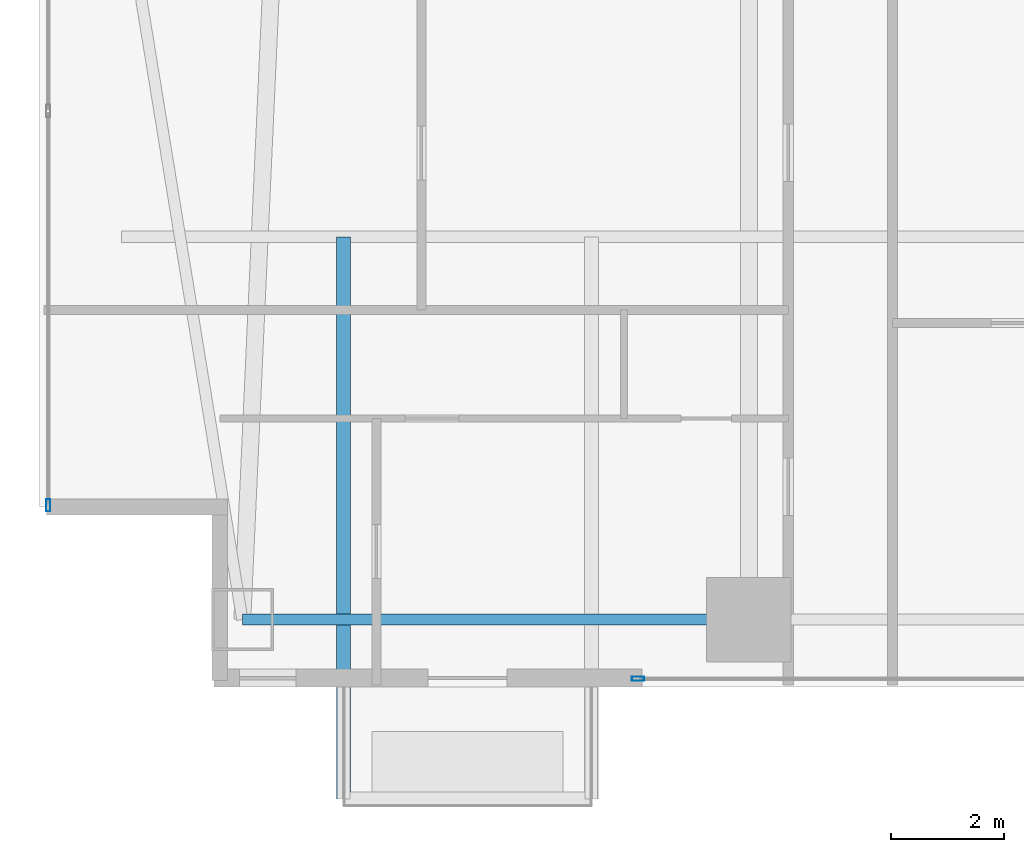
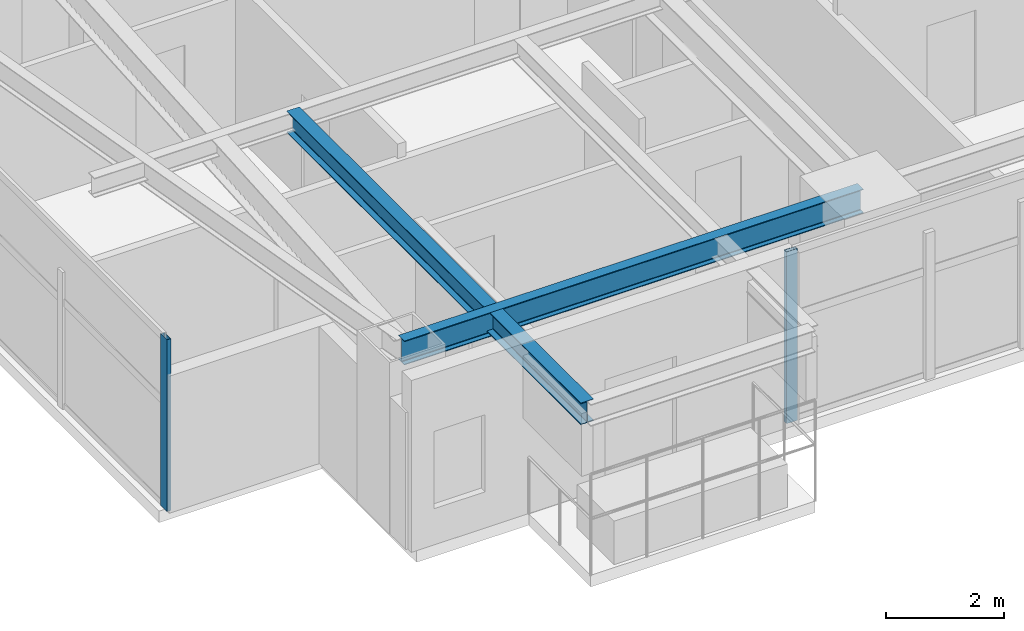
# One storey, part 2 of 30: 2 beams, 2 members, 2 elements without a shape of their own.
"""IFC4 building model written with IfcOpenShell, lengths in metres."""

from ifc_helpers import new_model, si_unit, direction, frame, origin, origin_2d, place, context, subcontext, project, spatial, hollow_rectangle, i_section, extrude, material, layer, layer_set, material_profile, profile_set, type_object, element, aggregate, save


model = new_model("IFC4")

# Units and contexts
model_context = context("Model", 3, precision=1e-05, world=origin(), true_north=direction((0.0, 1.0)))
body_context = subcontext(model_context, "Body", "Model", "MODEL_VIEW")
ifc_project = project(units=[si_unit("LENGTHUNIT", "METRE"), si_unit("AREAUNIT", "SQUARE_METRE"), si_unit("VOLUMEUNIT", "CUBIC_METRE"), si_unit("PLANEANGLEUNIT", "RADIAN"), si_unit("MASSUNIT", "GRAM", prefix="KILO")], contexts=[model_context])

# Site, building, storey
site_placement = place(None, origin())
site = spatial("IfcSite", under=ifc_project, at=site_placement, CompositionType="ELEMENT")
building_placement = place(site_placement, origin())
building = spatial("IfcBuilding", under=site, at=building_placement, Name="Calvorn Quay Hotel", CompositionType="ELEMENT")
storey_placement = place(building_placement, frame((0.0, 0.0, 27.0)))
storey = spatial("IfcBuildingStorey", under=building, at=storey_placement, Name="L05", CompositionType="ELEMENT", Elevation=27.0)

# Beams
ifc_material_1 = material(Name="Steel Q355B", Category="steel")
ifc_material_profile_1 = material_profile(ifc_material_1, i_section(OverallWidth=0.25, OverallDepth=0.449951171875, WebThickness=0.011962890625, FlangeThickness=0.01611328125, FilletRadius=0.01611328125, at=origin_2d()), Name="HN450x250x12x16")
ifc_profile_set_1 = profile_set([ifc_material_profile_1], Name="Steel Q355B")
beam_type_1 = type_object("IfcBeamType", Name="BM-CANT-BALC", PredefinedType="BEAM", material=ifc_profile_set_1)
beam_1_placement = place(storey_placement, frame((5.39990234375, 10.39990234375, 3.31494140625), z_axis=(0.0, -1.0, 0.0), x_axis=(1.0, 0.0, 0.0)))
element("IfcBeam", 1, at=beam_1_placement, inside=storey, type_object=beam_type_1, Name="Cantilever Balcony Beam BCB-L06-2A", PredefinedType="BEAM", context=body_context, shape_type="SweptSolid", body=[
    extrude(i_section(OverallWidth=0.25, OverallDepth=0.449951171875, WebThickness=0.011962890625, FlangeThickness=0.01611328125, FilletRadius=0.01611328125, at=origin_2d()), origin(), (0.0, 0.0, 1.0), 9.989990234375),
])
ifc_material_2 = material(Name="Steel Q355B", Category="steel")
ifc_material_profile_2 = material_profile(ifc_material_2, i_section(OverallWidth=0.199951171875, OverallDepth=0.5, WebThickness=0.010009765625, FlangeThickness=0.01611328125, FilletRadius=0.01611328125, at=origin_2d()), Name="HN500x200x10x16")
ifc_profile_set_2 = profile_set([ifc_material_profile_2], Name="Steel Q355B")
beam_type_2 = type_object("IfcBeamType", Name="BM-SPANDREL-Z1", PredefinedType="SPANDREL", material=ifc_profile_set_2)
beam_2_placement = place(storey_placement, frame((3.60009765625, 3.60009765625, 3.2900390625), z_axis=(1.0, 0.0, 0.0), x_axis=(0.0, 1.0, 0.0)))
element("IfcBeam", 2, at=beam_2_placement, inside=storey, type_object=beam_type_2, Name="Beam BSP-L05-S1", PredefinedType="SPANDREL", context=body_context, shape_type="SweptSolid", body=[
    extrude(i_section(OverallWidth=0.199951171875, OverallDepth=0.5, WebThickness=0.010009765625, FlangeThickness=0.01611328125, FilletRadius=0.01611328125, at=origin_2d()), origin(), (0.0, 0.0, 1.0), 9.0),
])

# Curtain wall, member
ifc_material_3 = material(Name="Pale Anodised Aluminium and Low-E Glass", Category="aluminium")
ifc_layer = layer(ifc_material_3, 0.219970703125)
ifc_layer_set = layer_set([ifc_layer], Name="CW-SYS-Z1")
curtain_wall_type = type_object("IfcCurtainWallType", Name="CW-SYS-Z1", PredefinedType="NOTDEFINED", material=ifc_layer_set)
curtain_wall_1_placement = place(storey_placement, origin())
curtain_wall_1 = element("IfcCurtainWall", 3, at=curtain_wall_1_placement, inside=storey, type_object=curtain_wall_type, Name="Tower West Curtain Wall (L05)", PredefinedType="NOTDEFINED")
ifc_material_4 = material(Name="Pale Anodised Aluminium 6063-T6", Category="aluminium")
ifc_material_profile_3 = material_profile(ifc_material_4, hollow_rectangle(XDim=0.074951171875, YDim=0.219970703125, WallThickness=0.00439453125, at=origin_2d()), Name="ALU-M220x75x4.5")
ifc_profile_set_3 = profile_set([ifc_material_profile_3], Name="Pale Anodised Aluminium 6063-T6")
member_type = type_object("IfcMemberType", Name="CW-SYS-Z1-MUL", PredefinedType="MULLION", material=ifc_profile_set_3)
member_1_placement = place(storey_placement, frame((0.14990234375, 5.6298828125, 0.0), z_axis=(0.0, 0.0, 1.0), x_axis=(-1.0, 0.0, 0.0)))
member_1 = element("IfcMember", 4, at=member_1_placement, type_object=member_type, Name="CW-L05-W mullion 1", PredefinedType="MULLION", context=body_context, shape_type="SweptSolid", body=[
    extrude(hollow_rectangle(XDim=0.074951171875, YDim=0.219970703125, WallThickness=0.00439453125, at=origin_2d()), origin(), (0.0, 0.0, 1.0), 3.56005859375),
])
aggregate(curtain_wall_1, [member_1])

curtain_wall_2_placement = place(storey_placement, origin())
curtain_wall_2 = element("IfcCurtainWall", 5, at=curtain_wall_2_placement, inside=storey, type_object=curtain_wall_type, Name="Tower South Waterfront Curtain Wall (L05)", PredefinedType="NOTDEFINED")
member_2_placement = place(storey_placement, frame((10.6298828125, 2.550048828125, 0.0), z_axis=(0.0, 0.0, 1.0), x_axis=(0.0, 1.0, 0.0)))
member_2 = element("IfcMember", 6, at=member_2_placement, type_object=member_type, Name="CW-L05-S mullion 1", PredefinedType="MULLION", context=body_context, shape_type="SweptSolid", body=[
    extrude(hollow_rectangle(XDim=0.074951171875, YDim=0.219970703125, WallThickness=0.00439453125, at=origin_2d()), origin(), (0.0, 0.0, 1.0), 3.56005859375),
])
aggregate(curtain_wall_2, [member_2])

save(model, "model.ifc")
